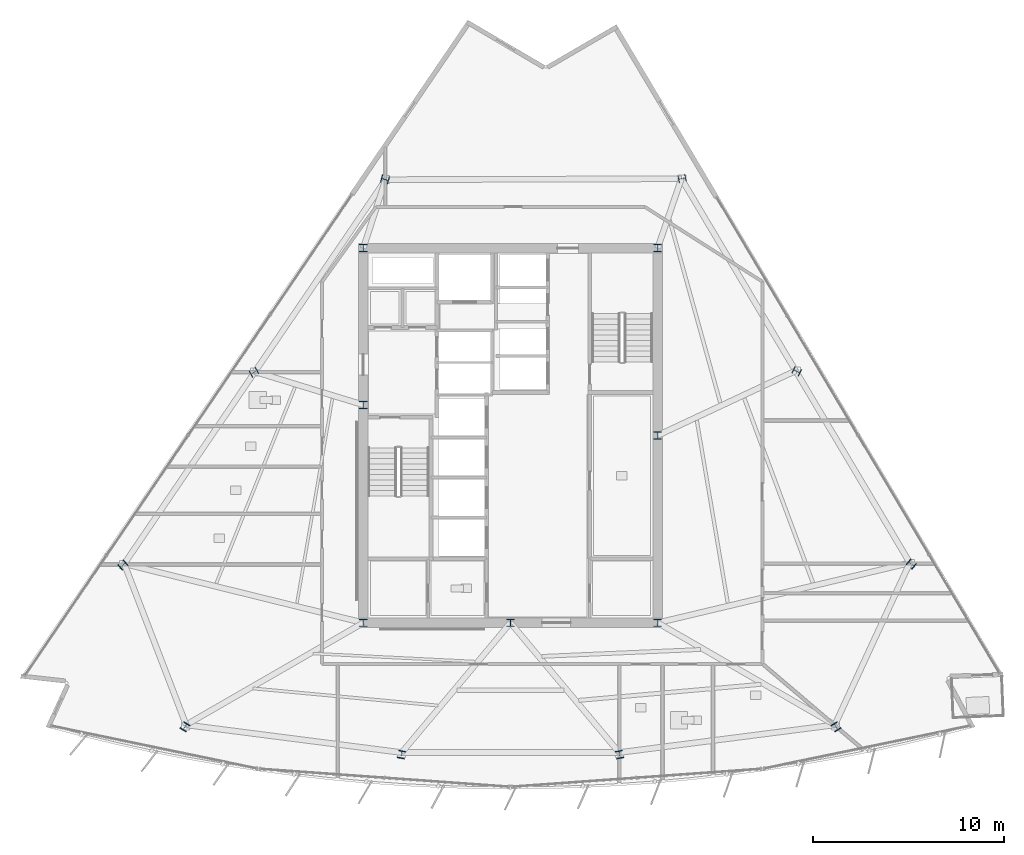
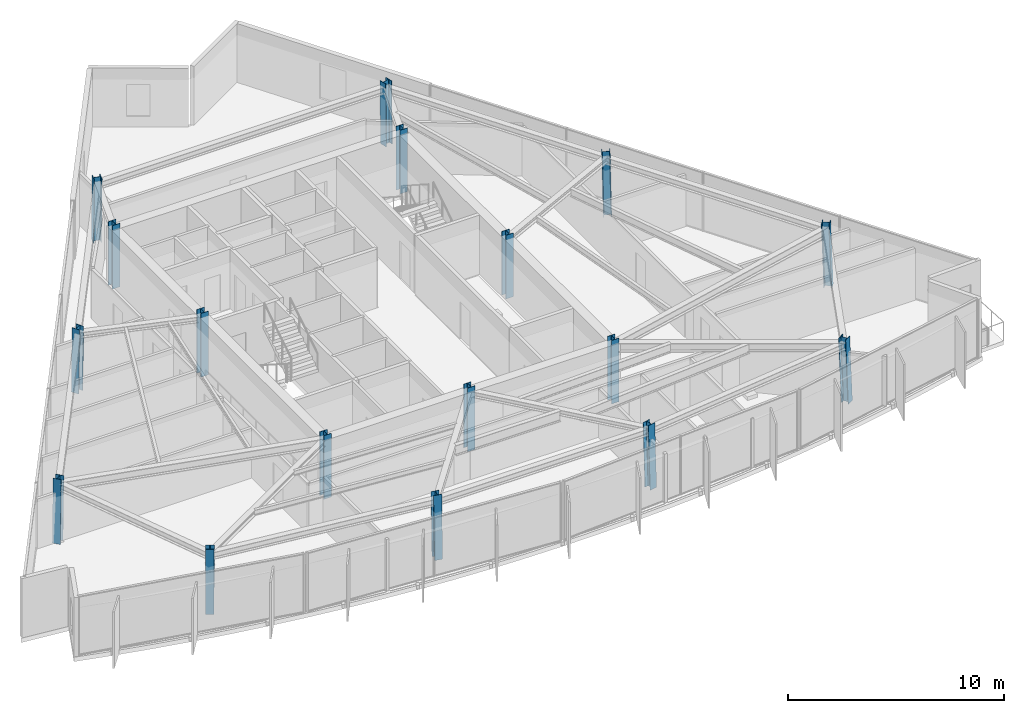
# One storey, part 1 of 15: 17 columns.
"""IFC4 building model written with IfcOpenShell, lengths in metres."""

from ifc_helpers import new_model, si_unit, direction, frame, origin, origin_2d, place, context, subcontext, project, spatial, i_section, extrude, material, material_profile, profile_set, type_object, element, save


model = new_model("IFC4")

# Units and contexts
model_context = context("Model", 3, precision=1e-05, world=origin(), true_north=direction((0.0, 1.0)))
body_context = subcontext(model_context, "Body", "Model", "MODEL_VIEW")
ifc_project = project(units=[si_unit("LENGTHUNIT", "METRE"), si_unit("AREAUNIT", "SQUARE_METRE"), si_unit("VOLUMEUNIT", "CUBIC_METRE"), si_unit("PLANEANGLEUNIT", "RADIAN"), si_unit("MASSUNIT", "GRAM", prefix="KILO")], contexts=[model_context])

# Site, building, storey
site_placement = place(None, origin())
site = spatial("IfcSite", under=ifc_project, at=site_placement, CompositionType="ELEMENT")
building_placement = place(site_placement, origin())
building = spatial("IfcBuilding", under=site, at=building_placement, Name="Savorim Split Tower", CompositionType="ELEMENT")
storey_placement = place(building_placement, frame((0.0, 0.0, 194.699951171875)))
storey = spatial("IfcBuildingStorey", under=building, at=storey_placement, Name="L51", CompositionType="ELEMENT", Elevation=194.699951171875)

# Columns
ifc_material = material(Name="Steel S355", Category="steel")
ifc_material_profile = material_profile(ifc_material, i_section(OverallWidth=0.39794921875, OverallDepth=0.386962890625, WebThickness=0.013427734375, FlangeThickness=0.02197265625, FilletRadius=0.014892578125, at=origin_2d()), Name="HD 400x262")
ifc_profile_set = profile_set([ifc_material_profile], Name="Steel S355")
column_type = type_object("IfcColumnType", Name="COL-HD-262", PredefinedType="COLUMN", material=ifc_profile_set)
for number, where, z_axis, x_axis, name in (
    (1, (-7.699951171875, -9.39990234375, 0.0), (0.0, 0.0, 1.0), (1.0, 0.0, 0.0), "L51 Core Structural Column TC-C1"),
    (2, (7.699951171875, -9.39990234375, 0.0), (0.0, 0.0, 1.0), (1.0, 0.0, 0.0), "L51 Core Structural Column TC-C2"),
    (3, (7.699951171875, 10.199951171875, 0.0), (0.0, 0.0, 1.0), (1.0, 0.0, 0.0), "L51 Core Structural Column TC-C3"),
    (4, (-7.699951171875, 10.199951171875, 0.0), (0.0, 0.0, 1.0), (1.0, 0.0, 0.0), "L51 Core Structural Column TC-C4"),
    (5, (0.0, -9.39990234375, 0.0), (0.0, 0.0, 1.0), (1.0, 0.0, 0.0), "L51 Core Structural Column TC-C5"),
    (6, (7.699951171875, 0.39990234375, 0.0), (0.0, 0.0, 1.0), (1.0, 0.0, 0.0), "L51 Core Structural Column TC-C6"),
    (7, (-7.699951171875, 2.0, 0.0), (0.0, 0.0, 1.0), (1.0, 0.0, 0.0), "L51 Core Structural Column TC-C7"),
):
    element("IfcColumn", number, at=place(storey_placement, frame(where, z_axis=z_axis, x_axis=x_axis)), inside=storey, type_object=column_type, Name=name, PredefinedType="COLUMN", context=body_context, shape_type="SweptSolid", body=[
        extrude(i_section(OverallWidth=0.39794921875, OverallDepth=0.386962890625, WebThickness=0.013427734375, FlangeThickness=0.02197265625, FilletRadius=0.014892578125, at=origin_2d()), origin(), (0.0, 0.0, 1.0), 3.60009765625),
    ])
column_1_placement = place(storey_placement, frame((-17.042236328125, -14.8603515625, 0.005615234375), z_axis=(0.020596292833, 0.033511459955, 0.999226087917), x_axis=(-0.851954850327, 0.523615252838, 0.0)))
element("IfcColumn", 8, at=column_1_placement, inside=storey, type_object=column_type, Name="L51 Tapered Perimeter Column PC-S1", PredefinedType="COLUMN", context=body_context, shape_type="SweptSolid", body=[
    extrude(i_section(OverallWidth=0.39794921875, OverallDepth=0.386962890625, WebThickness=0.013427734375, FlangeThickness=0.02197265625, FilletRadius=0.014892578125, at=origin_2d()), origin(), (0.0, 0.0, 1.0), 3.591552734375),
])
for number, where, z_axis, x_axis, name in (
    (9, (-5.7119140625, -16.315185546875, 0.005615234375), (0.006934288159, 0.035283289748, 0.999353293441), (-0.981229659911, 0.192842823335, 0.0), "L51 Tapered Perimeter Column PC-S2"),
    (10, (5.7119140625, -16.315185546875, 0.005615234375), (-0.006934288159, 0.035283289748, 0.999353293441), (-0.981229659911, -0.192842823335, 0.0), "L51 Tapered Perimeter Column PC-S3"),
):
    element("IfcColumn", number, at=place(storey_placement, frame(where, z_axis=z_axis, x_axis=x_axis)), inside=storey, type_object=column_type, Name=name, PredefinedType="COLUMN", context=body_context, shape_type="SweptSolid", body=[
        extrude(i_section(OverallWidth=0.39794921875, OverallDepth=0.386962890625, WebThickness=0.013427734375, FlangeThickness=0.02197265625, FilletRadius=0.014892578125, at=origin_2d()), origin(), (0.0, 0.0, 1.0), 3.59130859375),
    ])
column_2_placement = place(storey_placement, frame((17.042236328125, -14.8603515625, 0.005615234375), z_axis=(-0.020596292833, 0.033511459955, 0.999226087917), x_axis=(-0.851954850327, -0.523615252838, 0.0)))
element("IfcColumn", 11, at=column_2_placement, inside=storey, type_object=column_type, Name="L51 Tapered Perimeter Column PC-S4", PredefinedType="COLUMN", context=body_context, shape_type="SweptSolid", body=[
    extrude(i_section(OverallWidth=0.39794921875, OverallDepth=0.386962890625, WebThickness=0.013427734375, FlangeThickness=0.02197265625, FilletRadius=0.014892578125, at=origin_2d()), origin(), (0.0, 0.0, 1.0), 3.591552734375),
])
column_3_placement = place(storey_placement, frame((20.983642578125, -6.342041015625, 0.005615234375), z_axis=(-0.026107436898, 0.021620221181, 0.999425318758), x_axis=(-0.637813971185, -0.770190455771, 0.0)))
element("IfcColumn", 12, at=column_3_placement, inside=storey, type_object=column_type, Name="L51 Tapered Perimeter Column PC-E1", PredefinedType="COLUMN", context=body_context, shape_type="SweptSolid", body=[
    extrude(i_section(OverallWidth=0.39794921875, OverallDepth=0.386962890625, WebThickness=0.013427734375, FlangeThickness=0.02197265625, FilletRadius=0.014892578125, at=origin_2d()), origin(), (0.0, 0.0, 1.0), 3.5908203125),
])
column_4_placement = place(storey_placement, frame((14.983642578125, 3.748291015625, 0.005615234375), z_axis=(-0.018907326549, 0.00952167524, 0.999775900241), x_axis=(-0.449781931574, -0.893138406984, 0.0)))
element("IfcColumn", 13, at=column_4_placement, inside=storey, type_object=column_type, Name="L51 Tapered Perimeter Column PC-E2", PredefinedType="COLUMN", context=body_context, shape_type="SweptSolid", body=[
    extrude(i_section(OverallWidth=0.39794921875, OverallDepth=0.386962890625, WebThickness=0.013427734375, FlangeThickness=0.02197265625, FilletRadius=0.014892578125, at=origin_2d()), origin(), (0.0, 0.0, 1.0), 3.589599609375),
])
for number, where, z_axis, x_axis, name in (
    (14, (8.98388671875, 13.83837890625, 0.005615234375), (-0.011699840322, -0.002584848443, 0.999928213571), (0.215728093413, -0.976453475447, 0.0), "L51 Tapered Perimeter Column PC-E3"),
    (15, (-6.566162109375, 13.78955078125, 0.005615234375), (0.008843163607, -0.002516900411, 0.999957730942), (0.273743828055, 0.961802639112, 0.0), "L51 Tapered Perimeter Column PC-W1"),
):
    element("IfcColumn", number, at=place(storey_placement, frame(where, z_axis=z_axis, x_axis=x_axis)), inside=storey, type_object=column_type, Name=name, PredefinedType="COLUMN", context=body_context, shape_type="SweptSolid", body=[
        extrude(i_section(OverallWidth=0.39794921875, OverallDepth=0.386962890625, WebThickness=0.013427734375, FlangeThickness=0.02197265625, FilletRadius=0.014892578125, at=origin_2d()), origin(), (0.0, 0.0, 1.0), 3.589111328125),
    ])
column_5_placement = place(storey_placement, frame((-13.430419921875, 3.699462890625, 0.005615234375), z_axis=(0.017071567417, 0.009521989794, 0.999808928394), x_axis=(-0.487119351792, 0.873335409284, 0.0)))
element("IfcColumn", 16, at=column_5_placement, inside=storey, type_object=column_type, Name="L51 Tapered Perimeter Column PC-W2", PredefinedType="COLUMN", context=body_context, shape_type="SweptSolid", body=[
    extrude(i_section(OverallWidth=0.39794921875, OverallDepth=0.386962890625, WebThickness=0.013427734375, FlangeThickness=0.02197265625, FilletRadius=0.014892578125, at=origin_2d()), origin(), (0.0, 0.0, 1.0), 3.589599609375),
])
column_6_placement = place(storey_placement, frame((-20.29443359375, -6.390869140625, 0.005615234375), z_axis=(0.025224163578, 0.021620711639, 0.999447990843), x_axis=(-0.650791373456, 0.759256602365, 0.0)))
element("IfcColumn", 17, at=column_6_placement, inside=storey, type_object=column_type, Name="L51 Tapered Perimeter Column PC-W3", PredefinedType="COLUMN", context=body_context, shape_type="SweptSolid", body=[
    extrude(i_section(OverallWidth=0.39794921875, OverallDepth=0.386962890625, WebThickness=0.013427734375, FlangeThickness=0.02197265625, FilletRadius=0.014892578125, at=origin_2d()), origin(), (0.0, 0.0, 1.0), 3.5908203125),
])

save(model, "model.ifc")
